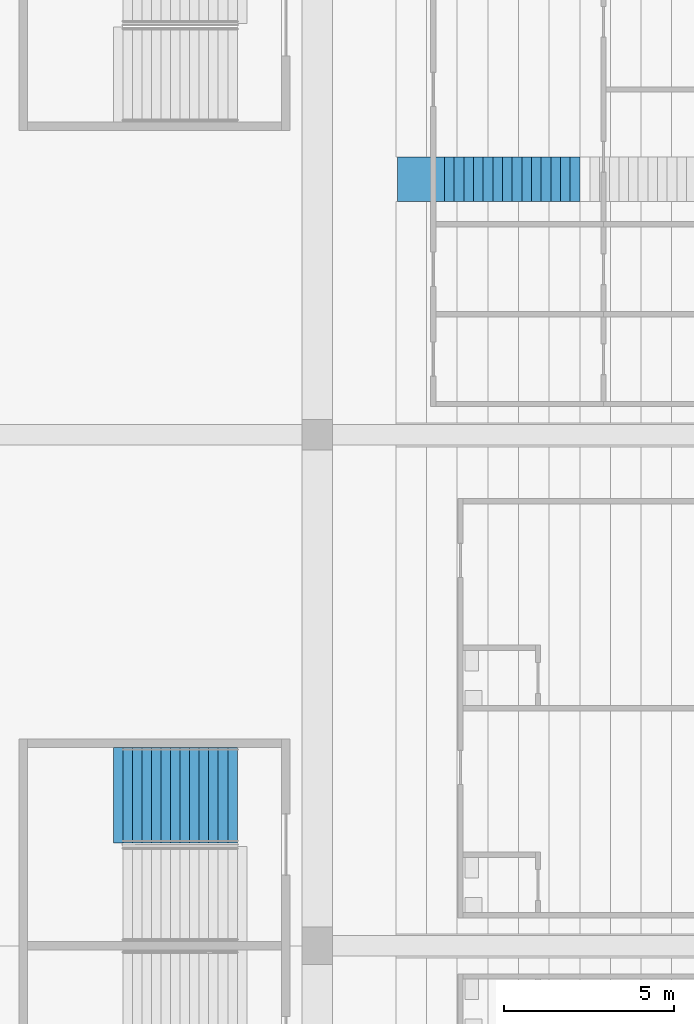
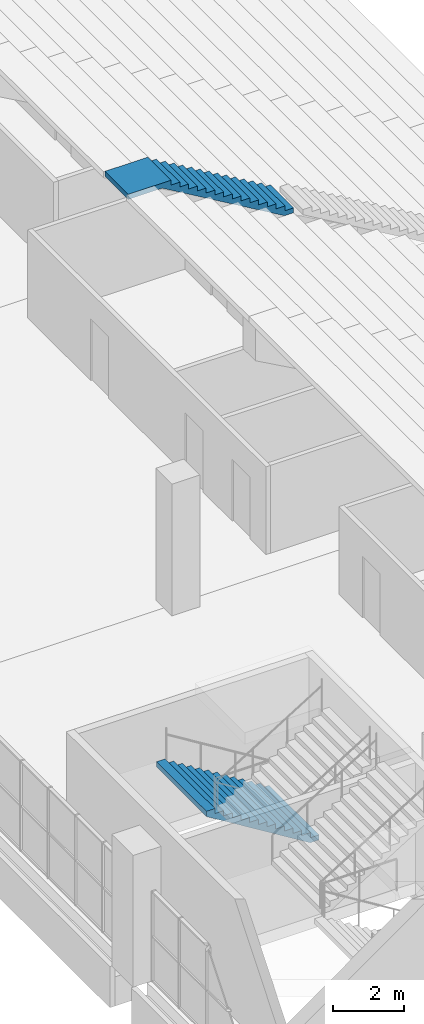
# One storey, part 159 of 249: 2 stair flights, 2 elements without a shape of their own.
"""IFC4 building model written with IfcOpenShell, lengths in metres."""

from ifc_helpers import new_model, si_unit, direction, frame, origin, place, context, subcontext, project, spatial, faceted_brep, material, type_object, element, aggregate, save


model = new_model("IFC4")

# Units and contexts
model_context = context("Model", 3, precision=1e-05, world=origin(), true_north=direction((0.0, 1.0)))
body_context = subcontext(model_context, "Body", "Model", "MODEL_VIEW")
ifc_project = project(units=[si_unit("LENGTHUNIT", "METRE"), si_unit("AREAUNIT", "SQUARE_METRE"), si_unit("VOLUMEUNIT", "CUBIC_METRE"), si_unit("PLANEANGLEUNIT", "RADIAN"), si_unit("MASSUNIT", "GRAM", prefix="KILO")], contexts=[model_context])

# Site, building, storey
site_placement = place(None, origin())
site = spatial("IfcSite", under=ifc_project, at=site_placement, CompositionType="ELEMENT")
building_placement = place(site_placement, origin())
building = spatial("IfcBuilding", under=site, at=building_placement, Name="Ogive Plaza Stadium", CompositionType="ELEMENT")
storey_placement = place(building_placement, frame((0.0, 0.0, 13.5)))
storey = spatial("IfcBuildingStorey", under=building, at=storey_placement, Name="L03", CompositionType="ELEMENT", Elevation=13.5)

# Stair, stair flight
ifc_material_1 = material(Name="Concrete C40/50", Category="concrete")
stair_type_1 = type_object("IfcStairType", Name="Aisle stair", PredefinedType="STRAIGHT_RUN_STAIR", material=ifc_material_1)
stair_1_placement = place(storey_placement, origin())
stair_1 = element("IfcStair", 1, at=stair_1_placement, inside=storey, type_object=stair_type_1, Name="Aisle stair SA23U", PredefinedType="STRAIGHT_RUN_STAIR")
ifc_material_2 = material(Name="Concrete C40/50", Category="concrete")
stair_flight_type_1 = type_object("IfcStairFlightType", Name="Aisle stair flight", PredefinedType="STRAIGHT", material=ifc_material_2)
stair_flight_1_placement = place(storey_placement, frame((-66.300048828125, -15.0, 6.5), z_axis=(0.0, 0.0, 1.0), x_axis=(-1.0, 0.0, 0.0)))
stair_flight_1 = element("IfcStairFlight", 2, at=stair_flight_1_placement, type_object=stair_flight_type_1, Name="SA23U flight 3", NumberOfRisers=15, NumberOfTreads=14, PredefinedType="STRAIGHT", RiserHeight=0.166666667, TreadLength=0.283333333, context=body_context, shape_type="Brep", body=[
    faceted_brep([(0.295654296875, -0.64990234375, 0.0), (4.25, -0.64990234375, 2.326171875), (5.35009765625, -0.64990234375, 2.326171875), (5.35009765625, -0.64990234375, 2.5), (3.966552734375, -0.64990234375, 2.5), (3.966552734375, -0.64990234375, 2.333251953125), (3.683349609375, -0.64990234375, 2.333251953125), (3.683349609375, -0.64990234375, 2.166748046875), (3.39990234375, -0.64990234375, 2.166748046875), (3.39990234375, -0.64990234375, 2.0), (3.11669921875, -0.64990234375, 2.0), (3.11669921875, -0.64990234375, 1.833251953125), (2.833251953125, -0.64990234375, 1.833251953125), (2.833251953125, -0.64990234375, 1.666748046875), (2.550048828125, -0.64990234375, 1.666748046875), (2.550048828125, -0.64990234375, 1.5), (2.2666015625, -0.64990234375, 1.5), (2.2666015625, -0.64990234375, 1.333251953125), (1.9833984375, -0.64990234375, 1.333251953125), (1.9833984375, -0.64990234375, 1.166748046875), (1.699951171875, -0.64990234375, 1.166748046875), (1.699951171875, -0.64990234375, 1.0), (1.416748046875, -0.64990234375, 1.0), (1.416748046875, -0.64990234375, 0.833251953125), (1.13330078125, -0.64990234375, 0.833251953125), (1.13330078125, -0.64990234375, 0.666748046875), (0.85009765625, -0.64990234375, 0.666748046875), (0.85009765625, -0.64990234375, 0.5), (0.566650390625, -0.64990234375, 0.5), (0.566650390625, -0.64990234375, 0.333251953125), (0.283447265625, -0.64990234375, 0.333251953125), (0.283447265625, -0.64990234375, 0.166748046875), (0.0, -0.64990234375, 0.166748046875), (0.0, -0.64990234375, 0.0), (0.0, 0.64990234375, 0.0), (0.0, 0.64990234375, 0.166748046875), (0.283447265625, 0.64990234375, 0.166748046875), (0.283447265625, 0.64990234375, 0.333251953125), (0.566650390625, 0.64990234375, 0.333251953125), (0.566650390625, 0.64990234375, 0.5), (0.85009765625, 0.64990234375, 0.5), (0.85009765625, 0.64990234375, 0.666748046875), (1.13330078125, 0.64990234375, 0.666748046875), (1.13330078125, 0.64990234375, 0.833251953125), (1.416748046875, 0.64990234375, 0.833251953125), (1.416748046875, 0.64990234375, 1.0), (1.699951171875, 0.64990234375, 1.0), (1.699951171875, 0.64990234375, 1.166748046875), (1.9833984375, 0.64990234375, 1.166748046875), (1.9833984375, 0.64990234375, 1.333251953125), (2.2666015625, 0.64990234375, 1.333251953125), (2.2666015625, 0.64990234375, 1.5), (2.550048828125, 0.64990234375, 1.5), (2.550048828125, 0.64990234375, 1.666748046875), (2.833251953125, 0.64990234375, 1.666748046875), (2.833251953125, 0.64990234375, 1.833251953125), (3.11669921875, 0.64990234375, 1.833251953125), (3.11669921875, 0.64990234375, 2.0), (3.39990234375, 0.64990234375, 2.0), (3.39990234375, 0.64990234375, 2.166748046875), (3.683349609375, 0.64990234375, 2.166748046875), (3.683349609375, 0.64990234375, 2.333251953125), (3.966552734375, 0.64990234375, 2.333251953125), (3.966552734375, 0.64990234375, 2.5), (5.35009765625, 0.64990234375, 2.5), (5.35009765625, 0.64990234375, 2.326171875), (4.25, 0.64990234375, 2.326171875), (0.295654296875, 0.64990234375, 0.0), (0.295654296875, -0.324951171875, 0.0), (4.25, -0.324951171875, 2.326171875), (0.295654296875, 0.0, 0.0), (4.25, 0.0, 2.326171875), (0.295654296875, 0.324951171875, 0.0), (4.25, 0.324951171875, 2.326171875), (5.35009765625, -0.324951171875, 2.326171875), (5.35009765625, 0.0, 2.326171875), (5.35009765625, 0.324951171875, 2.326171875), (5.35009765625, -0.324951171875, 2.5), (5.35009765625, 0.0, 2.5), (5.35009765625, 0.324951171875, 2.5), (3.966552734375, -0.324951171875, 2.5), (3.966552734375, 0.0, 2.5), (3.966552734375, 0.324951171875, 2.5), (3.966552734375, -0.324951171875, 2.333251953125), (3.966552734375, 0.0, 2.333251953125), (3.966552734375, 0.324951171875, 2.333251953125), (3.683349609375, -0.324951171875, 2.333251953125), (3.683349609375, 0.0, 2.333251953125), (3.683349609375, 0.324951171875, 2.333251953125), (3.683349609375, -0.324951171875, 2.166748046875), (3.683349609375, 0.0, 2.166748046875), (3.683349609375, 0.324951171875, 2.166748046875), (3.39990234375, -0.324951171875, 2.166748046875), (3.39990234375, 0.0, 2.166748046875), (3.39990234375, 0.324951171875, 2.166748046875), (3.39990234375, -0.324951171875, 2.0), (3.39990234375, 0.0, 2.0), (3.39990234375, 0.324951171875, 2.0), (3.11669921875, -0.324951171875, 2.0), (3.11669921875, 0.0, 2.0), (3.11669921875, 0.324951171875, 2.0), (3.11669921875, -0.324951171875, 1.833251953125), (3.11669921875, 0.0, 1.833251953125), (3.11669921875, 0.324951171875, 1.833251953125), (2.833251953125, -0.324951171875, 1.833251953125), (2.833251953125, 0.0, 1.833251953125), (2.833251953125, 0.324951171875, 1.833251953125), (2.833251953125, -0.324951171875, 1.666748046875), (2.833251953125, 0.0, 1.666748046875), (2.833251953125, 0.324951171875, 1.666748046875), (2.550048828125, -0.324951171875, 1.666748046875), (2.550048828125, 0.0, 1.666748046875), (2.550048828125, 0.324951171875, 1.666748046875), (2.550048828125, -0.324951171875, 1.5), (2.550048828125, 0.0, 1.5), (2.550048828125, 0.324951171875, 1.5), (2.2666015625, -0.324951171875, 1.5), (2.2666015625, 0.0, 1.5), (2.2666015625, 0.324951171875, 1.5), (2.2666015625, -0.324951171875, 1.333251953125), (2.2666015625, 0.0, 1.333251953125), (2.2666015625, 0.324951171875, 1.333251953125), (1.9833984375, -0.324951171875, 1.333251953125), (1.9833984375, 0.0, 1.333251953125), (1.9833984375, 0.324951171875, 1.333251953125), (1.9833984375, -0.324951171875, 1.166748046875), (1.9833984375, 0.0, 1.166748046875), (1.9833984375, 0.324951171875, 1.166748046875), (1.699951171875, -0.324951171875, 1.166748046875), (1.699951171875, 0.0, 1.166748046875), (1.699951171875, 0.324951171875, 1.166748046875), (1.699951171875, -0.324951171875, 1.0), (1.699951171875, 0.0, 1.0), (1.699951171875, 0.324951171875, 1.0), (1.416748046875, -0.324951171875, 1.0), (1.416748046875, 0.0, 1.0), (1.416748046875, 0.324951171875, 1.0), (1.416748046875, -0.324951171875, 0.833251953125), (1.416748046875, 0.0, 0.833251953125), (1.416748046875, 0.324951171875, 0.833251953125), (1.13330078125, -0.324951171875, 0.833251953125), (1.13330078125, 0.0, 0.833251953125), (1.13330078125, 0.324951171875, 0.833251953125), (1.13330078125, -0.324951171875, 0.666748046875), (1.13330078125, 0.0, 0.666748046875), (1.13330078125, 0.324951171875, 0.666748046875), (0.85009765625, -0.324951171875, 0.666748046875), (0.85009765625, 0.0, 0.666748046875), (0.85009765625, 0.324951171875, 0.666748046875), (0.85009765625, -0.324951171875, 0.5), (0.85009765625, 0.0, 0.5), (0.85009765625, 0.324951171875, 0.5), (0.566650390625, -0.324951171875, 0.5), (0.566650390625, 0.0, 0.5), (0.566650390625, 0.324951171875, 0.5), (0.566650390625, -0.324951171875, 0.333251953125), (0.566650390625, 0.0, 0.333251953125), (0.566650390625, 0.324951171875, 0.333251953125), (0.283447265625, -0.324951171875, 0.333251953125), (0.283447265625, 0.0, 0.333251953125), (0.283447265625, 0.324951171875, 0.333251953125), (0.283447265625, -0.324951171875, 0.166748046875), (0.283447265625, 0.0, 0.166748046875), (0.283447265625, 0.324951171875, 0.166748046875), (0.0, -0.324951171875, 0.166748046875), (0.0, 0.0, 0.166748046875), (0.0, 0.324951171875, 0.166748046875), (0.0, -0.324951171875, 0.0), (0.0, 0.0, 0.0), (0.0, 0.324951171875, 0.0)], [[[0, 1, 2, 3, 4, 5, 6, 7, 8, 9, 10, 11, 12, 13, 14, 15, 16, 17, 18, 19, 20, 21, 22, 23, 24, 25, 26, 27, 28, 29, 30, 31, 32, 33]], [[34, 35, 36, 37, 38, 39, 40, 41, 42, 43, 44, 45, 46, 47, 48, 49, 50, 51, 52, 53, 54, 55, 56, 57, 58, 59, 60, 61, 62, 63, 64, 65, 66, 67]], [[0, 68, 69, 1]], [[68, 70, 71, 69]], [[70, 72, 73, 71]], [[72, 67, 66, 73]], [[1, 69, 74, 2]], [[69, 71, 75, 74]], [[71, 73, 76, 75]], [[73, 66, 65, 76]], [[2, 74, 77, 3]], [[74, 75, 78, 77]], [[75, 76, 79, 78]], [[76, 65, 64, 79]], [[3, 77, 80, 4]], [[77, 78, 81, 80]], [[78, 79, 82, 81]], [[79, 64, 63, 82]], [[4, 80, 83, 5]], [[80, 81, 84, 83]], [[81, 82, 85, 84]], [[82, 63, 62, 85]], [[5, 83, 86, 6]], [[83, 84, 87, 86]], [[84, 85, 88, 87]], [[85, 62, 61, 88]], [[6, 86, 89, 7]], [[86, 87, 90, 89]], [[87, 88, 91, 90]], [[88, 61, 60, 91]], [[7, 89, 92, 8]], [[89, 90, 93, 92]], [[90, 91, 94, 93]], [[91, 60, 59, 94]], [[8, 92, 95, 9]], [[92, 93, 96, 95]], [[93, 94, 97, 96]], [[94, 59, 58, 97]], [[9, 95, 98, 10]], [[95, 96, 99, 98]], [[96, 97, 100, 99]], [[97, 58, 57, 100]], [[10, 98, 101, 11]], [[98, 99, 102, 101]], [[99, 100, 103, 102]], [[100, 57, 56, 103]], [[11, 101, 104, 12]], [[101, 102, 105, 104]], [[102, 103, 106, 105]], [[103, 56, 55, 106]], [[12, 104, 107, 13]], [[104, 105, 108, 107]], [[105, 106, 109, 108]], [[106, 55, 54, 109]], [[13, 107, 110, 14]], [[107, 108, 111, 110]], [[108, 109, 112, 111]], [[109, 54, 53, 112]], [[14, 110, 113, 15]], [[110, 111, 114, 113]], [[111, 112, 115, 114]], [[112, 53, 52, 115]], [[15, 113, 116, 16]], [[113, 114, 117, 116]], [[114, 115, 118, 117]], [[115, 52, 51, 118]], [[16, 116, 119, 17]], [[116, 117, 120, 119]], [[117, 118, 121, 120]], [[118, 51, 50, 121]], [[17, 119, 122, 18]], [[119, 120, 123, 122]], [[120, 121, 124, 123]], [[121, 50, 49, 124]], [[18, 122, 125, 19]], [[122, 123, 126, 125]], [[123, 124, 127, 126]], [[124, 49, 48, 127]], [[19, 125, 128, 20]], [[125, 126, 129, 128]], [[126, 127, 130, 129]], [[127, 48, 47, 130]], [[20, 128, 131, 21]], [[128, 129, 132, 131]], [[129, 130, 133, 132]], [[130, 47, 46, 133]], [[21, 131, 134, 22]], [[131, 132, 135, 134]], [[132, 133, 136, 135]], [[133, 46, 45, 136]], [[22, 134, 137, 23]], [[134, 135, 138, 137]], [[135, 136, 139, 138]], [[136, 45, 44, 139]], [[23, 137, 140, 24]], [[137, 138, 141, 140]], [[138, 139, 142, 141]], [[139, 44, 43, 142]], [[24, 140, 143, 25]], [[140, 141, 144, 143]], [[141, 142, 145, 144]], [[142, 43, 42, 145]], [[25, 143, 146, 26]], [[143, 144, 147, 146]], [[144, 145, 148, 147]], [[145, 42, 41, 148]], [[26, 146, 149, 27]], [[146, 147, 150, 149]], [[147, 148, 151, 150]], [[148, 41, 40, 151]], [[27, 149, 152, 28]], [[149, 150, 153, 152]], [[150, 151, 154, 153]], [[151, 40, 39, 154]], [[28, 152, 155, 29]], [[152, 153, 156, 155]], [[153, 154, 157, 156]], [[154, 39, 38, 157]], [[29, 155, 158, 30]], [[155, 156, 159, 158]], [[156, 157, 160, 159]], [[157, 38, 37, 160]], [[30, 158, 161, 31]], [[158, 159, 162, 161]], [[159, 160, 163, 162]], [[160, 37, 36, 163]], [[31, 161, 164, 32]], [[161, 162, 165, 164]], [[162, 163, 166, 165]], [[163, 36, 35, 166]], [[32, 164, 167, 33]], [[164, 165, 168, 167]], [[165, 166, 169, 168]], [[166, 35, 34, 169]], [[33, 167, 68, 0]], [[167, 168, 70, 68]], [[168, 169, 72, 70]], [[169, 34, 67, 72]]]),
])
aggregate(stair_1, [stair_flight_1])

ifc_material_3 = material(Name="Concrete C40/50", Category="concrete")
stair_type_2 = type_object("IfcStairType", Name="Exit stair", PredefinedType="STRAIGHT_RUN_STAIR", material=ifc_material_3)
stair_2_placement = place(storey_placement, origin())
stair_2 = element("IfcStair", 3, at=stair_2_placement, inside=storey, type_object=stair_type_2, Name="Exit stair ST22A L03 to L04", PredefinedType="STRAIGHT_RUN_STAIR")
ifc_material_4 = material(Name="Concrete C40/50", Category="concrete")
stair_flight_type_2 = type_object("IfcStairFlightType", Name="Exit stair flight", PredefinedType="STRAIGHT", material=ifc_material_4)
stair_flight_2_placement = place(storey_placement, frame((-76.35009765625, -33.074951171875, 0.0), z_axis=(0.0, 0.0, 1.0), x_axis=(-1.0, 0.0, 0.0)))
stair_flight_2 = element("IfcStairFlight", 4, at=stair_flight_2_placement, type_object=stair_flight_type_2, Name="ST22A flight 1", NumberOfRisers=13, NumberOfTreads=12, PredefinedType="STRAIGHT", RiserHeight=0.173076923, TreadLength=0.28, context=body_context, shape_type="Brep", body=[
    faceted_brep([(0.28515625, -1.39990234375, 0.0), (3.639892578125, -1.39990234375, 2.07373046875), (3.639892578125, -1.39990234375, 2.25), (3.360107421875, -1.39990234375, 2.25), (3.360107421875, -1.39990234375, 2.076904296875), (3.080078125, -1.39990234375, 2.076904296875), (3.080078125, -1.39990234375, 1.90380859375), (2.800048828125, -1.39990234375, 1.90380859375), (2.800048828125, -1.39990234375, 1.730712890625), (2.52001953125, -1.39990234375, 1.730712890625), (2.52001953125, -1.39990234375, 1.5576171875), (2.239990234375, -1.39990234375, 1.5576171875), (2.239990234375, -1.39990234375, 1.384521484375), (1.9599609375, -1.39990234375, 1.384521484375), (1.9599609375, -1.39990234375, 1.21142578125), (1.679931640625, -1.39990234375, 1.21142578125), (1.679931640625, -1.39990234375, 1.03857421875), (1.39990234375, -1.39990234375, 1.03857421875), (1.39990234375, -1.39990234375, 0.865478515625), (1.1201171875, -1.39990234375, 0.865478515625), (1.1201171875, -1.39990234375, 0.6923828125), (0.840087890625, -1.39990234375, 0.6923828125), (0.840087890625, -1.39990234375, 0.519287109375), (0.56005859375, -1.39990234375, 0.519287109375), (0.56005859375, -1.39990234375, 0.34619140625), (0.280029296875, -1.39990234375, 0.34619140625), (0.280029296875, -1.39990234375, 0.173095703125), (0.0, -1.39990234375, 0.173095703125), (0.0, -1.39990234375, 0.0), (0.0, 1.39990234375, 0.0), (0.0, 1.39990234375, 0.173095703125), (0.280029296875, 1.39990234375, 0.173095703125), (0.280029296875, 1.39990234375, 0.34619140625), (0.56005859375, 1.39990234375, 0.34619140625), (0.56005859375, 1.39990234375, 0.519287109375), (0.840087890625, 1.39990234375, 0.519287109375), (0.840087890625, 1.39990234375, 0.6923828125), (1.1201171875, 1.39990234375, 0.6923828125), (1.1201171875, 1.39990234375, 0.865478515625), (1.39990234375, 1.39990234375, 0.865478515625), (1.39990234375, 1.39990234375, 1.03857421875), (1.679931640625, 1.39990234375, 1.03857421875), (1.679931640625, 1.39990234375, 1.21142578125), (1.9599609375, 1.39990234375, 1.21142578125), (1.9599609375, 1.39990234375, 1.384521484375), (2.239990234375, 1.39990234375, 1.384521484375), (2.239990234375, 1.39990234375, 1.5576171875), (2.52001953125, 1.39990234375, 1.5576171875), (2.52001953125, 1.39990234375, 1.730712890625), (2.800048828125, 1.39990234375, 1.730712890625), (2.800048828125, 1.39990234375, 1.90380859375), (3.080078125, 1.39990234375, 1.90380859375), (3.080078125, 1.39990234375, 2.076904296875), (3.360107421875, 1.39990234375, 2.076904296875), (3.360107421875, 1.39990234375, 2.25), (3.639892578125, 1.39990234375, 2.25), (3.639892578125, 1.39990234375, 2.07373046875), (0.28515625, 1.39990234375, 0.0), (0.28515625, -1.0888671875, 0.0), (3.639892578125, -1.0888671875, 2.07373046875), (0.28515625, -0.77783203125, 0.0), (3.639892578125, -0.77783203125, 2.07373046875), (0.28515625, -0.466796875, 0.0), (3.639892578125, -0.466796875, 2.07373046875), (0.28515625, -0.155517578125, 0.0), (3.639892578125, -0.155517578125, 2.07373046875), (0.28515625, 0.155517578125, 0.0), (3.639892578125, 0.155517578125, 2.07373046875), (0.28515625, 0.466796875, 0.0), (3.639892578125, 0.466796875, 2.07373046875), (0.28515625, 0.77783203125, 0.0), (3.639892578125, 0.77783203125, 2.07373046875), (0.28515625, 1.0888671875, 0.0), (3.639892578125, 1.0888671875, 2.07373046875), (3.639892578125, -1.0888671875, 2.25), (3.639892578125, -0.77783203125, 2.25), (3.639892578125, -0.466796875, 2.25), (3.639892578125, -0.155517578125, 2.25), (3.639892578125, 0.155517578125, 2.25), (3.639892578125, 0.466796875, 2.25), (3.639892578125, 0.77783203125, 2.25), (3.639892578125, 1.0888671875, 2.25), (3.360107421875, -1.0888671875, 2.25), (3.360107421875, -0.77783203125, 2.25), (3.360107421875, -0.466796875, 2.25), (3.360107421875, -0.155517578125, 2.25), (3.360107421875, 0.155517578125, 2.25), (3.360107421875, 0.466796875, 2.25), (3.360107421875, 0.77783203125, 2.25), (3.360107421875, 1.0888671875, 2.25), (3.360107421875, -1.0888671875, 2.076904296875), (3.360107421875, -0.77783203125, 2.076904296875), (3.360107421875, -0.466796875, 2.076904296875), (3.360107421875, -0.155517578125, 2.076904296875), (3.360107421875, 0.155517578125, 2.076904296875), (3.360107421875, 0.466796875, 2.076904296875), (3.360107421875, 0.77783203125, 2.076904296875), (3.360107421875, 1.0888671875, 2.076904296875), (3.080078125, -1.0888671875, 2.076904296875), (3.080078125, -0.77783203125, 2.076904296875), (3.080078125, -0.466796875, 2.076904296875), (3.080078125, -0.155517578125, 2.076904296875), (3.080078125, 0.155517578125, 2.076904296875), (3.080078125, 0.466796875, 2.076904296875), (3.080078125, 0.77783203125, 2.076904296875), (3.080078125, 1.0888671875, 2.076904296875), (3.080078125, -1.0888671875, 1.90380859375), (3.080078125, -0.77783203125, 1.90380859375), (3.080078125, -0.466796875, 1.90380859375), (3.080078125, -0.155517578125, 1.90380859375), (3.080078125, 0.155517578125, 1.90380859375), (3.080078125, 0.466796875, 1.90380859375), (3.080078125, 0.77783203125, 1.90380859375), (3.080078125, 1.0888671875, 1.90380859375), (2.800048828125, -1.0888671875, 1.90380859375), (2.800048828125, -0.77783203125, 1.90380859375), (2.800048828125, -0.466796875, 1.90380859375), (2.800048828125, -0.155517578125, 1.90380859375), (2.800048828125, 0.155517578125, 1.90380859375), (2.800048828125, 0.466796875, 1.90380859375), (2.800048828125, 0.77783203125, 1.90380859375), (2.800048828125, 1.0888671875, 1.90380859375), (2.800048828125, -1.0888671875, 1.730712890625), (2.800048828125, -0.77783203125, 1.730712890625), (2.800048828125, -0.466796875, 1.730712890625), (2.800048828125, -0.155517578125, 1.730712890625), (2.800048828125, 0.155517578125, 1.730712890625), (2.800048828125, 0.466796875, 1.730712890625), (2.800048828125, 0.77783203125, 1.730712890625), (2.800048828125, 1.0888671875, 1.730712890625), (2.52001953125, -1.0888671875, 1.730712890625), (2.52001953125, -0.77783203125, 1.730712890625), (2.52001953125, -0.466796875, 1.730712890625), (2.52001953125, -0.155517578125, 1.730712890625), (2.52001953125, 0.155517578125, 1.730712890625), (2.52001953125, 0.466796875, 1.730712890625), (2.52001953125, 0.77783203125, 1.730712890625), (2.52001953125, 1.0888671875, 1.730712890625), (2.52001953125, -1.0888671875, 1.5576171875), (2.52001953125, -0.77783203125, 1.5576171875), (2.52001953125, -0.466796875, 1.5576171875), (2.52001953125, -0.155517578125, 1.5576171875), (2.52001953125, 0.155517578125, 1.5576171875), (2.52001953125, 0.466796875, 1.5576171875), (2.52001953125, 0.77783203125, 1.5576171875), (2.52001953125, 1.0888671875, 1.5576171875), (2.239990234375, -1.0888671875, 1.5576171875), (2.239990234375, -0.77783203125, 1.5576171875), (2.239990234375, -0.466796875, 1.5576171875), (2.239990234375, -0.155517578125, 1.5576171875), (2.239990234375, 0.155517578125, 1.5576171875), (2.239990234375, 0.466796875, 1.5576171875), (2.239990234375, 0.77783203125, 1.5576171875), (2.239990234375, 1.0888671875, 1.5576171875), (2.239990234375, -1.0888671875, 1.384521484375), (2.239990234375, -0.77783203125, 1.384521484375), (2.239990234375, -0.466796875, 1.384521484375), (2.239990234375, -0.155517578125, 1.384521484375), (2.239990234375, 0.155517578125, 1.384521484375), (2.239990234375, 0.466796875, 1.384521484375), (2.239990234375, 0.77783203125, 1.384521484375), (2.239990234375, 1.0888671875, 1.384521484375), (1.9599609375, -1.0888671875, 1.384521484375), (1.9599609375, -0.77783203125, 1.384521484375), (1.9599609375, -0.466796875, 1.384521484375), (1.9599609375, -0.155517578125, 1.384521484375), (1.9599609375, 0.155517578125, 1.384521484375), (1.9599609375, 0.466796875, 1.384521484375), (1.9599609375, 0.77783203125, 1.384521484375), (1.9599609375, 1.0888671875, 1.384521484375), (1.9599609375, -1.0888671875, 1.21142578125), (1.9599609375, -0.77783203125, 1.21142578125), (1.9599609375, -0.466796875, 1.21142578125), (1.9599609375, -0.155517578125, 1.21142578125), (1.9599609375, 0.155517578125, 1.21142578125), (1.9599609375, 0.466796875, 1.21142578125), (1.9599609375, 0.77783203125, 1.21142578125), (1.9599609375, 1.0888671875, 1.21142578125), (1.679931640625, -1.0888671875, 1.21142578125), (1.679931640625, -0.77783203125, 1.21142578125), (1.679931640625, -0.466796875, 1.21142578125), (1.679931640625, -0.155517578125, 1.21142578125), (1.679931640625, 0.155517578125, 1.21142578125), (1.679931640625, 0.466796875, 1.21142578125), (1.679931640625, 0.77783203125, 1.21142578125), (1.679931640625, 1.0888671875, 1.21142578125), (1.679931640625, -1.0888671875, 1.03857421875), (1.679931640625, -0.77783203125, 1.03857421875), (1.679931640625, -0.466796875, 1.03857421875), (1.679931640625, -0.155517578125, 1.03857421875), (1.679931640625, 0.155517578125, 1.03857421875), (1.679931640625, 0.466796875, 1.03857421875), (1.679931640625, 0.77783203125, 1.03857421875), (1.679931640625, 1.0888671875, 1.03857421875), (1.39990234375, -1.0888671875, 1.03857421875), (1.39990234375, -0.77783203125, 1.03857421875), (1.39990234375, -0.466796875, 1.03857421875), (1.39990234375, -0.155517578125, 1.03857421875), (1.39990234375, 0.155517578125, 1.03857421875), (1.39990234375, 0.466796875, 1.03857421875), (1.39990234375, 0.77783203125, 1.03857421875), (1.39990234375, 1.0888671875, 1.03857421875), (1.39990234375, -1.0888671875, 0.865478515625), (1.39990234375, -0.77783203125, 0.865478515625), (1.39990234375, -0.466796875, 0.865478515625), (1.39990234375, -0.155517578125, 0.865478515625), (1.39990234375, 0.155517578125, 0.865478515625), (1.39990234375, 0.466796875, 0.865478515625), (1.39990234375, 0.77783203125, 0.865478515625), (1.39990234375, 1.0888671875, 0.865478515625), (1.1201171875, -1.0888671875, 0.865478515625), (1.1201171875, -0.77783203125, 0.865478515625), (1.1201171875, -0.466796875, 0.865478515625), (1.1201171875, -0.155517578125, 0.865478515625), (1.1201171875, 0.155517578125, 0.865478515625), (1.1201171875, 0.466796875, 0.865478515625), (1.1201171875, 0.77783203125, 0.865478515625), (1.1201171875, 1.0888671875, 0.865478515625), (1.1201171875, -1.0888671875, 0.6923828125), (1.1201171875, -0.77783203125, 0.6923828125), (1.1201171875, -0.466796875, 0.6923828125), (1.1201171875, -0.155517578125, 0.6923828125), (1.1201171875, 0.155517578125, 0.6923828125), (1.1201171875, 0.466796875, 0.6923828125), (1.1201171875, 0.77783203125, 0.6923828125), (1.1201171875, 1.0888671875, 0.6923828125), (0.840087890625, -1.0888671875, 0.6923828125), (0.840087890625, -0.77783203125, 0.6923828125), (0.840087890625, -0.466796875, 0.6923828125), (0.840087890625, -0.155517578125, 0.6923828125), (0.840087890625, 0.155517578125, 0.6923828125), (0.840087890625, 0.466796875, 0.6923828125), (0.840087890625, 0.77783203125, 0.6923828125), (0.840087890625, 1.0888671875, 0.6923828125), (0.840087890625, -1.0888671875, 0.519287109375), (0.840087890625, -0.77783203125, 0.519287109375), (0.840087890625, -0.466796875, 0.519287109375), (0.840087890625, -0.155517578125, 0.519287109375), (0.840087890625, 0.155517578125, 0.519287109375), (0.840087890625, 0.466796875, 0.519287109375), (0.840087890625, 0.77783203125, 0.519287109375), (0.840087890625, 1.0888671875, 0.519287109375), (0.56005859375, -1.0888671875, 0.519287109375), (0.56005859375, -0.77783203125, 0.519287109375), (0.56005859375, -0.466796875, 0.519287109375), (0.56005859375, -0.155517578125, 0.519287109375), (0.56005859375, 0.155517578125, 0.519287109375), (0.56005859375, 0.466796875, 0.519287109375), (0.56005859375, 0.77783203125, 0.519287109375), (0.56005859375, 1.0888671875, 0.519287109375), (0.56005859375, -1.0888671875, 0.34619140625), (0.56005859375, -0.77783203125, 0.34619140625), (0.56005859375, -0.466796875, 0.34619140625), (0.56005859375, -0.155517578125, 0.34619140625), (0.56005859375, 0.155517578125, 0.34619140625), (0.56005859375, 0.466796875, 0.34619140625), (0.56005859375, 0.77783203125, 0.34619140625), (0.56005859375, 1.0888671875, 0.34619140625), (0.280029296875, -1.0888671875, 0.34619140625), (0.280029296875, -0.77783203125, 0.34619140625), (0.280029296875, -0.466796875, 0.34619140625), (0.280029296875, -0.155517578125, 0.34619140625), (0.280029296875, 0.155517578125, 0.34619140625), (0.280029296875, 0.466796875, 0.34619140625), (0.280029296875, 0.77783203125, 0.34619140625), (0.280029296875, 1.0888671875, 0.34619140625), (0.280029296875, -1.0888671875, 0.173095703125), (0.280029296875, -0.77783203125, 0.173095703125), (0.280029296875, -0.466796875, 0.173095703125), (0.280029296875, -0.155517578125, 0.173095703125), (0.280029296875, 0.155517578125, 0.173095703125), (0.280029296875, 0.466796875, 0.173095703125), (0.280029296875, 0.77783203125, 0.173095703125), (0.280029296875, 1.0888671875, 0.173095703125), (0.0, -1.0888671875, 0.173095703125), (0.0, -0.77783203125, 0.173095703125), (0.0, -0.466796875, 0.173095703125), (0.0, -0.155517578125, 0.173095703125), (0.0, 0.155517578125, 0.173095703125), (0.0, 0.466796875, 0.173095703125), (0.0, 0.77783203125, 0.173095703125), (0.0, 1.0888671875, 0.173095703125), (0.0, -1.0888671875, 0.0), (0.0, -0.77783203125, 0.0), (0.0, -0.466796875, 0.0), (0.0, -0.155517578125, 0.0), (0.0, 0.155517578125, 0.0), (0.0, 0.466796875, 0.0), (0.0, 0.77783203125, 0.0), (0.0, 1.0888671875, 0.0)], [[[0, 1, 2, 3, 4, 5, 6, 7, 8, 9, 10, 11, 12, 13, 14, 15, 16, 17, 18, 19, 20, 21, 22, 23, 24, 25, 26, 27, 28]], [[29, 30, 31, 32, 33, 34, 35, 36, 37, 38, 39, 40, 41, 42, 43, 44, 45, 46, 47, 48, 49, 50, 51, 52, 53, 54, 55, 56, 57]], [[0, 58, 59, 1]], [[58, 60, 61, 59]], [[60, 62, 63, 61]], [[62, 64, 65, 63]], [[64, 66, 67, 65]], [[66, 68, 69, 67]], [[68, 70, 71, 69]], [[70, 72, 73, 71]], [[72, 57, 56, 73]], [[1, 59, 74, 2]], [[59, 61, 75, 74]], [[61, 63, 76, 75]], [[63, 65, 77, 76]], [[65, 67, 78, 77]], [[67, 69, 79, 78]], [[69, 71, 80, 79]], [[71, 73, 81, 80]], [[73, 56, 55, 81]], [[2, 74, 82, 3]], [[74, 75, 83, 82]], [[75, 76, 84, 83]], [[76, 77, 85, 84]], [[77, 78, 86, 85]], [[78, 79, 87, 86]], [[79, 80, 88, 87]], [[80, 81, 89, 88]], [[81, 55, 54, 89]], [[3, 82, 90, 4]], [[82, 83, 91, 90]], [[83, 84, 92, 91]], [[84, 85, 93, 92]], [[85, 86, 94, 93]], [[86, 87, 95, 94]], [[87, 88, 96, 95]], [[88, 89, 97, 96]], [[89, 54, 53, 97]], [[4, 90, 98, 5]], [[90, 91, 99, 98]], [[91, 92, 100, 99]], [[92, 93, 101, 100]], [[93, 94, 102, 101]], [[94, 95, 103, 102]], [[95, 96, 104, 103]], [[96, 97, 105, 104]], [[97, 53, 52, 105]], [[5, 98, 106, 6]], [[98, 99, 107, 106]], [[99, 100, 108, 107]], [[100, 101, 109, 108]], [[101, 102, 110, 109]], [[102, 103, 111, 110]], [[103, 104, 112, 111]], [[104, 105, 113, 112]], [[105, 52, 51, 113]], [[6, 106, 114, 7]], [[106, 107, 115, 114]], [[107, 108, 116, 115]], [[108, 109, 117, 116]], [[109, 110, 118, 117]], [[110, 111, 119, 118]], [[111, 112, 120, 119]], [[112, 113, 121, 120]], [[113, 51, 50, 121]], [[7, 114, 122, 8]], [[114, 115, 123, 122]], [[115, 116, 124, 123]], [[116, 117, 125, 124]], [[117, 118, 126, 125]], [[118, 119, 127, 126]], [[119, 120, 128, 127]], [[120, 121, 129, 128]], [[121, 50, 49, 129]], [[8, 122, 130, 9]], [[122, 123, 131, 130]], [[123, 124, 132, 131]], [[124, 125, 133, 132]], [[125, 126, 134, 133]], [[126, 127, 135, 134]], [[127, 128, 136, 135]], [[128, 129, 137, 136]], [[129, 49, 48, 137]], [[9, 130, 138, 10]], [[130, 131, 139, 138]], [[131, 132, 140, 139]], [[132, 133, 141, 140]], [[133, 134, 142, 141]], [[134, 135, 143, 142]], [[135, 136, 144, 143]], [[136, 137, 145, 144]], [[137, 48, 47, 145]], [[10, 138, 146, 11]], [[138, 139, 147, 146]], [[139, 140, 148, 147]], [[140, 141, 149, 148]], [[141, 142, 150, 149]], [[142, 143, 151, 150]], [[143, 144, 152, 151]], [[144, 145, 153, 152]], [[145, 47, 46, 153]], [[11, 146, 154, 12]], [[146, 147, 155, 154]], [[147, 148, 156, 155]], [[148, 149, 157, 156]], [[149, 150, 158, 157]], [[150, 151, 159, 158]], [[151, 152, 160, 159]], [[152, 153, 161, 160]], [[153, 46, 45, 161]], [[12, 154, 162, 13]], [[154, 155, 163, 162]], [[155, 156, 164, 163]], [[156, 157, 165, 164]], [[157, 158, 166, 165]], [[158, 159, 167, 166]], [[159, 160, 168, 167]], [[160, 161, 169, 168]], [[161, 45, 44, 169]], [[13, 162, 170, 14]], [[162, 163, 171, 170]], [[163, 164, 172, 171]], [[164, 165, 173, 172]], [[165, 166, 174, 173]], [[166, 167, 175, 174]], [[167, 168, 176, 175]], [[168, 169, 177, 176]], [[169, 44, 43, 177]], [[14, 170, 178, 15]], [[170, 171, 179, 178]], [[171, 172, 180, 179]], [[172, 173, 181, 180]], [[173, 174, 182, 181]], [[174, 175, 183, 182]], [[175, 176, 184, 183]], [[176, 177, 185, 184]], [[177, 43, 42, 185]], [[15, 178, 186, 16]], [[178, 179, 187, 186]], [[179, 180, 188, 187]], [[180, 181, 189, 188]], [[181, 182, 190, 189]], [[182, 183, 191, 190]], [[183, 184, 192, 191]], [[184, 185, 193, 192]], [[185, 42, 41, 193]], [[16, 186, 194, 17]], [[186, 187, 195, 194]], [[187, 188, 196, 195]], [[188, 189, 197, 196]], [[189, 190, 198, 197]], [[190, 191, 199, 198]], [[191, 192, 200, 199]], [[192, 193, 201, 200]], [[193, 41, 40, 201]], [[17, 194, 202, 18]], [[194, 195, 203, 202]], [[195, 196, 204, 203]], [[196, 197, 205, 204]], [[197, 198, 206, 205]], [[198, 199, 207, 206]], [[199, 200, 208, 207]], [[200, 201, 209, 208]], [[201, 40, 39, 209]], [[18, 202, 210, 19]], [[202, 203, 211, 210]], [[203, 204, 212, 211]], [[204, 205, 213, 212]], [[205, 206, 214, 213]], [[206, 207, 215, 214]], [[207, 208, 216, 215]], [[208, 209, 217, 216]], [[209, 39, 38, 217]], [[19, 210, 218, 20]], [[210, 211, 219, 218]], [[211, 212, 220, 219]], [[212, 213, 221, 220]], [[213, 214, 222, 221]], [[214, 215, 223, 222]], [[215, 216, 224, 223]], [[216, 217, 225, 224]], [[217, 38, 37, 225]], [[20, 218, 226, 21]], [[218, 219, 227, 226]], [[219, 220, 228, 227]], [[220, 221, 229, 228]], [[221, 222, 230, 229]], [[222, 223, 231, 230]], [[223, 224, 232, 231]], [[224, 225, 233, 232]], [[225, 37, 36, 233]], [[21, 226, 234, 22]], [[226, 227, 235, 234]], [[227, 228, 236, 235]], [[228, 229, 237, 236]], [[229, 230, 238, 237]], [[230, 231, 239, 238]], [[231, 232, 240, 239]], [[232, 233, 241, 240]], [[233, 36, 35, 241]], [[22, 234, 242, 23]], [[234, 235, 243, 242]], [[235, 236, 244, 243]], [[236, 237, 245, 244]], [[237, 238, 246, 245]], [[238, 239, 247, 246]], [[239, 240, 248, 247]], [[240, 241, 249, 248]], [[241, 35, 34, 249]], [[23, 242, 250, 24]], [[242, 243, 251, 250]], [[243, 244, 252, 251]], [[244, 245, 253, 252]], [[245, 246, 254, 253]], [[246, 247, 255, 254]], [[247, 248, 256, 255]], [[248, 249, 257, 256]], [[249, 34, 33, 257]], [[24, 250, 258, 25]], [[250, 251, 259, 258]], [[251, 252, 260, 259]], [[252, 253, 261, 260]], [[253, 254, 262, 261]], [[254, 255, 263, 262]], [[255, 256, 264, 263]], [[256, 257, 265, 264]], [[257, 33, 32, 265]], [[25, 258, 266, 26]], [[258, 259, 267, 266]], [[259, 260, 268, 267]], [[260, 261, 269, 268]], [[261, 262, 270, 269]], [[262, 263, 271, 270]], [[263, 264, 272, 271]], [[264, 265, 273, 272]], [[265, 32, 31, 273]], [[26, 266, 274, 27]], [[266, 267, 275, 274]], [[267, 268, 276, 275]], [[268, 269, 277, 276]], [[269, 270, 278, 277]], [[270, 271, 279, 278]], [[271, 272, 280, 279]], [[272, 273, 281, 280]], [[273, 31, 30, 281]], [[27, 274, 282, 28]], [[274, 275, 283, 282]], [[275, 276, 284, 283]], [[276, 277, 285, 284]], [[277, 278, 286, 285]], [[278, 279, 287, 286]], [[279, 280, 288, 287]], [[280, 281, 289, 288]], [[281, 30, 29, 289]], [[28, 282, 58, 0]], [[282, 283, 60, 58]], [[283, 284, 62, 60]], [[284, 285, 64, 62]], [[285, 286, 66, 64]], [[286, 287, 68, 66]], [[287, 288, 70, 68]], [[288, 289, 72, 70]], [[289, 29, 57, 72]]]),
])
aggregate(stair_2, [stair_flight_2])

save(model, "model.ifc")
